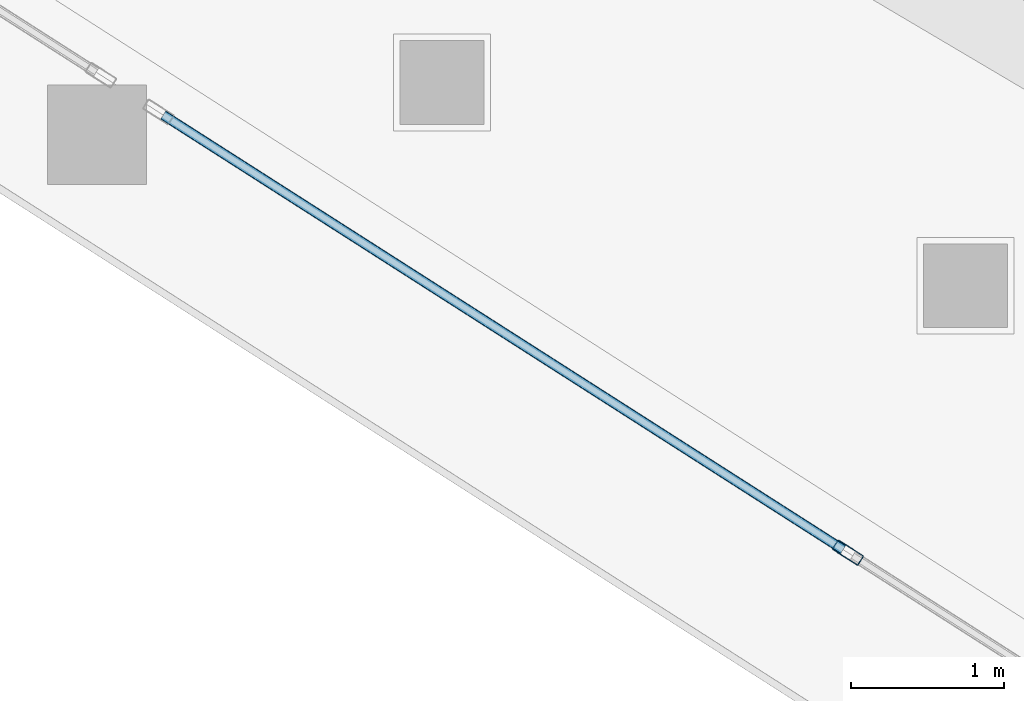
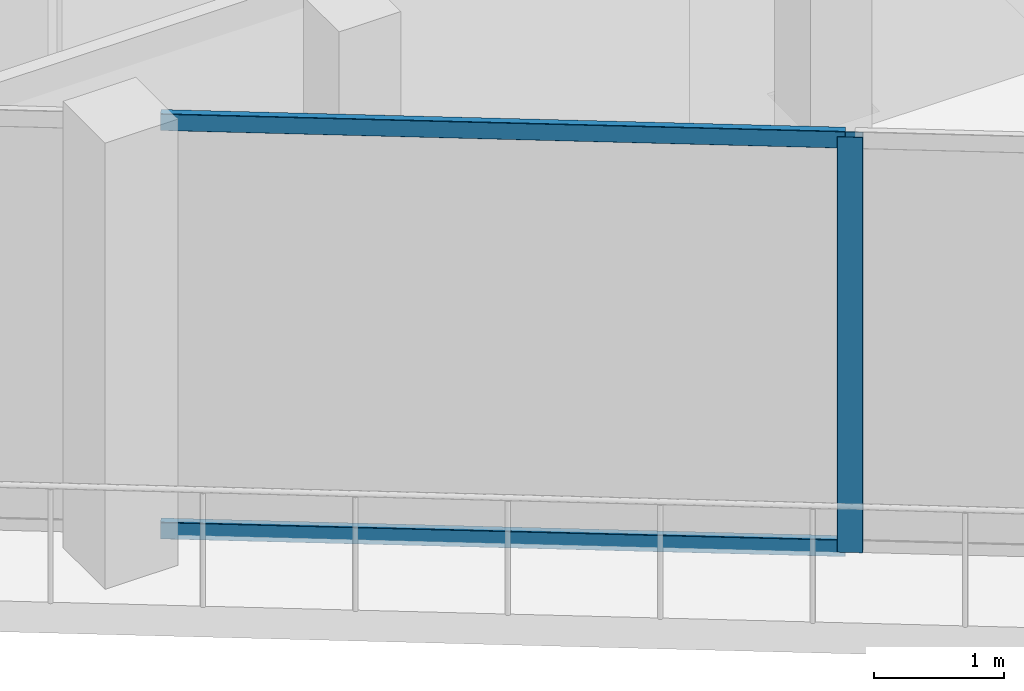
# One storey, part 4 of 31: 3 members, 1 element without a shape of its own.
"""IFC4 building model written with IfcOpenShell, lengths in metres."""

import ifcopenshell
import ifcopenshell.guid

model = None  # the IFC model being written
_history = None  # IfcOwnerHistory: only IFC2X3 demands one
_inside = {}  # id of a spatial element -> (the spatial element, [elements in it])
_under = {}  # id of a project, library or spatial element -> (it, [spatial elements below it])
_declared = {}  # id of a project -> (the project, [libraries it declares])
_typed = {}  # id of a type object -> (the type object, [elements of that type])
_made_of = {}  # id of a material, layer set ... -> (it, [elements and type objects made of it])


def new_model(schema):
    """Start an empty IFC model of exactly this schema.

    Asked for "IFC4X3", IfcOpenShell would pick the latest addendum, in which some entities
    have other attributes; the version numbers below select the first issue.
    IFC2X3 requires an IfcOwnerHistory on every rooted entity: one is made here for all.
    """
    global model, _history
    if schema == "IFC4X3":
        model = ifcopenshell.file(schema_version=(4, 3, 0, 0))
    else:
        model = ifcopenshell.file(schema=schema)
    _inside.clear()
    _under.clear()
    _declared.clear()
    _typed.clear()
    _made_of.clear()
    _history = None
    if model.schema == "IFC2X3":
        org = make("IfcOrganization", Name="unknown")
        user = make(
            "IfcPersonAndOrganization",
            ThePerson=make("IfcPerson", FamilyName="unknown"),
            TheOrganization=org,
        )
        app = make(
            "IfcApplication",
            ApplicationDeveloper=org,
            Version="unknown",
            ApplicationFullName="unknown",
            ApplicationIdentifier="unknown",
        )
        _history = make(
            "IfcOwnerHistory",
            OwningUser=user,
            OwningApplication=app,
            ChangeAction="ADDED",
            CreationDate=0,
        )
    return model


def make(cls, **values):
    """One entity of the class cls with the attributes given. An attribute that is None is left unset."""
    return model.create_entity(
        cls, **{name: value for name, value in values.items() if value is not None}
    )


def rooted(cls, **values):
    """An entity with a GlobalId (a new one), such as an element, a storey or a relation."""
    return make(cls, GlobalId=ifcopenshell.guid.new(), OwnerHistory=_history, **values)


def si_unit(unit_type, name, prefix=None):
    """IfcSIUnit, for example si_unit("LENGTHUNIT", "METRE", prefix="MILLI")."""
    return make("IfcSIUnit", UnitType=unit_type, Prefix=prefix, Name=name)


def assignment(units):
    """IfcUnitAssignment: the units of a project."""
    return None if units is None else make("IfcUnitAssignment", Units=units)


def point(xyz):
    """IfcCartesianPoint."""
    return None if xyz is None else make("IfcCartesianPoint", Coordinates=xyz)


def direction(xyz):
    """IfcDirection."""
    return None if xyz is None else make("IfcDirection", DirectionRatios=xyz)


def frame(location, z_axis=None, x_axis=None):
    """IfcAxis2Placement3D, a coordinate frame: its origin and axes. An axis left out is left unset."""
    return make(
        "IfcAxis2Placement3D",
        Location=point(location),
        Axis=direction(z_axis),
        RefDirection=direction(x_axis),
    )


def frame_2d(location, x_axis=None):
    """IfcAxis2Placement2D, a coordinate frame in the plane: its origin and x axis."""
    return make(
        "IfcAxis2Placement2D", Location=point(location), RefDirection=direction(x_axis)
    )


def origin():
    """The frame at (0, 0, 0) with its axes left unset."""
    return frame((0.0, 0.0, 0.0))


def origin_2d():
    """The frame at (0, 0) in the plane with its x axis left unset."""
    return frame_2d((0.0, 0.0))


def place(relative_to, where):
    """IfcLocalPlacement: puts the frame where relative to a parent placement (None: the world)."""
    return make(
        "IfcLocalPlacement", PlacementRelTo=relative_to, RelativePlacement=where
    )


def context(
    kind, dimensions, precision=None, world=None, true_north=None, identifier=None
):
    """IfcGeometricRepresentationContext, for example the 3D "Model" context."""
    return make(
        "IfcGeometricRepresentationContext",
        ContextIdentifier=identifier,
        ContextType=kind,
        CoordinateSpaceDimension=dimensions,
        Precision=precision,
        WorldCoordinateSystem=world,
        TrueNorth=true_north,
    )


def subcontext(parent, identifier, kind, view, scale=None):
    """IfcGeometricRepresentationSubContext, for example "Body" below "Model"."""
    return make(
        "IfcGeometricRepresentationSubContext",
        ContextIdentifier=identifier,
        ContextType=kind,
        ParentContext=parent,
        TargetScale=scale,
        TargetView=view,
    )


def project(units=None, contexts=None):
    """IfcProject with its units and contexts."""
    return rooted(
        "IfcProject",
        Name="project",
        RepresentationContexts=contexts,
        UnitsInContext=assignment(units),
    )


def spatial(cls, under=None, at=None, **own):
    """A site, building, storey or space (cls), placed at a placement, below another one or the project."""
    s = rooted(cls, ObjectPlacement=at, **own)
    if under is not None:
        _under.setdefault(under.id(), (under, []))[1].append(s)
    return s


def profile(cls, at=None, kind="AREA", **sizes):
    """A parametric profile (cls). Its sizes go by their IFC names, for example OverallWidth=200.0."""
    return make(cls, ProfileType=kind, Position=at, **sizes)


def hollow_rectangle(**sizes):
    """IfcRectangleHollowProfileDef."""
    return profile("IfcRectangleHollowProfileDef", **sizes)


def extrude(swept, where, along, depth):
    """IfcExtrudedAreaSolid: the profile swept, set in the frame where, extruded along a direction by depth."""
    return make(
        "IfcExtrudedAreaSolid",
        SweptArea=swept,
        Position=where,
        ExtrudedDirection=direction(along),
        Depth=depth,
    )


def shape(context_of_items, identifier, shape_type, items):
    """IfcShapeRepresentation: the items that make up one representation, for example the "Body"."""
    return make(
        "IfcShapeRepresentation",
        ContextOfItems=context_of_items,
        RepresentationIdentifier=identifier,
        RepresentationType=shape_type,
        Items=items,
    )


def material(Name=None, Category=None):
    """IfcMaterial."""
    return make("IfcMaterial", Name=Name, Category=Category)


def layer(
    of_material, thickness, ventilated=None, Name=None, Category=None, Priority=None
):
    """IfcMaterialLayer: one layer of a wall or slab, of a material (None: an air gap)."""
    return make(
        "IfcMaterialLayer",
        Material=of_material,
        LayerThickness=thickness,
        IsVentilated=ventilated,
        Name=Name,
        Category=Category,
        Priority=Priority,
    )


def layer_set(layers, Name=None):
    """IfcMaterialLayerSet."""
    return make("IfcMaterialLayerSet", MaterialLayers=layers, LayerSetName=Name)


def material_profile(
    of_material, cross_section, Name=None, Category=None, Priority=None
):
    """IfcMaterialProfile: a cross section and its material."""
    return make(
        "IfcMaterialProfile",
        Name=Name,
        Material=of_material,
        Profile=cross_section,
        Priority=Priority,
        Category=Category,
    )


def profile_set(profiles, Name=None, composite=None):
    """IfcMaterialProfileSet."""
    return make(
        "IfcMaterialProfileSet",
        Name=Name,
        MaterialProfiles=profiles,
        CompositeProfile=composite,
    )


def made_of(thing, what):
    """Note that an element or type object is made of a material, layer set ...; save() writes the relation."""
    if what is not None:
        _made_of.setdefault(what.id(), (what, []))[1].append(thing)
    return thing


def type_object(cls, material=None, **own):
    """A type object (cls), such as IfcWallType, which elements share."""
    return made_of(rooted(cls, **own), material)


def element(
    cls,
    number,
    at=None,
    inside=None,
    cuts=None,
    type_object=None,
    material=None,
    context=None,
    identifier="Body",
    shape_type=None,
    held_by="IfcProductDefinitionShape",
    body=None,
    shapes=None,
    **own,
):
    """One element of the class cls, such as IfcWall. Its Tag is "e" and its number.

    at: its placement. inside: the storey or other place that contains it. cuts: it is an
    opening in that element (IfcRelVoidsElement). A single representation is given by context,
    identifier, shape_type and body (its items); several are given by shapes. held_by: the class
    of the entity that holds the representations. save() writes the other relations.
    """
    e = rooted(cls, Tag="e%d" % number, ObjectPlacement=at, **own)
    if body is not None:
        shapes = [shape(context, identifier, shape_type, body)]
    if shapes is not None:
        e.Representation = make(held_by, Representations=shapes)
    if inside is not None:
        _inside.setdefault(inside.id(), (inside, []))[1].append(e)
    if cuts is not None:
        rooted(
            "IfcRelVoidsElement", RelatingBuildingElement=cuts, RelatedOpeningElement=e
        )
    if type_object is not None:
        _typed.setdefault(type_object.id(), (type_object, []))[1].append(e)
    return made_of(e, material)


def aggregate(whole, parts):
    """IfcRelAggregates: a whole, such as a stair, and the parts it consists of."""
    return rooted("IfcRelAggregates", RelatingObject=whole, RelatedObjects=parts)


def save(model, path):
    """Write the relations noted so far, then the file.

    IfcRelAggregates (storeys below a building ...), IfcRelContainedInSpatialStructure (elements
    in a storey), IfcRelDefinesByType, IfcRelAssociatesMaterial and IfcRelDeclares: one each for
    every whole, place, type object, material and project.
    """
    for whole, parts in _under.values():
        aggregate(whole, parts)
    for where, things in _inside.values():
        rooted(
            "IfcRelContainedInSpatialStructure",
            RelatedElements=things,
            RelatingStructure=where,
        )
    for kind, things in _typed.values():
        rooted("IfcRelDefinesByType", RelatedObjects=things, RelatingType=kind)
    for what, things in _made_of.values():
        rooted("IfcRelAssociatesMaterial", RelatedObjects=things, RelatingMaterial=what)
    for by, libraries in _declared.values():
        rooted("IfcRelDeclares", RelatingContext=by, RelatedDefinitions=libraries)
    model.write(path)


model = new_model("IFC4")

# Units and contexts
model_context = context("Model", 3, precision=1e-05, world=origin(), true_north=direction((0.0, 1.0)))
body_context = subcontext(model_context, "Body", "Model", "MODEL_VIEW")
ifc_project = project(units=[si_unit("LENGTHUNIT", "METRE"), si_unit("AREAUNIT", "SQUARE_METRE"), si_unit("VOLUMEUNIT", "CUBIC_METRE"), si_unit("PLANEANGLEUNIT", "RADIAN"), si_unit("MASSUNIT", "GRAM", prefix="KILO")], contexts=[model_context])

# Site, building, storey
site_placement = place(None, origin())
site = spatial("IfcSite", under=ifc_project, at=site_placement, CompositionType="ELEMENT")
building_placement = place(site_placement, origin())
building = spatial("IfcBuilding", under=site, at=building_placement, Name="Qorvath Tower", CompositionType="ELEMENT")
storey_placement = place(building_placement, frame((0.0, 0.0, 264.0)))
storey = spatial("IfcBuildingStorey", under=building, at=storey_placement, Name="L61", CompositionType="ELEMENT", Elevation=264.0)

# Curtain wall, members
ifc_material_1 = material(Name="Anodised aluminium and triple low-E glass", Category="aluminium")
ifc_layer = layer(ifc_material_1, 0.179931640625)
ifc_layer_set = layer_set([ifc_layer], Name="CW-SYS-4")
curtain_wall_type = type_object("IfcCurtainWallType", Name="CW-SYS-4", PredefinedType="NOTDEFINED", material=ifc_layer_set)
curtain_wall_placement = place(storey_placement, origin())
curtain_wall = element("IfcCurtainWall", 1, at=curtain_wall_placement, inside=storey, type_object=curtain_wall_type, Name="Curtain Wall CW-4 CW-T-L61-2.2", PredefinedType="NOTDEFINED")
ifc_material_2 = material(Name="Anodised aluminium 6063-T6", Category="aluminium")
ifc_material_profile_1 = material_profile(ifc_material_2, hollow_rectangle(XDim=0.074951171875, YDim=0.199951171875, WallThickness=0.00390625, InnerFilletRadius=0.00390625, OuterFilletRadius=0.008056640625, at=origin_2d()), Name="CWM 200x75")
ifc_profile_set_1 = profile_set([ifc_material_profile_1], Name="Anodised aluminium 6063-T6")
member_type_1 = type_object("IfcMemberType", Name="CWM-200", PredefinedType="MULLION", material=ifc_profile_set_1)
member_1_placement = place(storey_placement, frame((-31.446533203125, -15.872314453125, 0.0), z_axis=(0.0, 0.0, 1.0), x_axis=(0.538536275061, 0.842602326393, 0.0)))
member_1 = element("IfcMember", 2, at=member_1_placement, type_object=member_type_1, Name="CW-4 mullion 2", PredefinedType="MULLION", context=body_context, shape_type="SweptSolid", body=[
    extrude(hollow_rectangle(XDim=0.074951171875, YDim=0.199951171875, WallThickness=0.00390625, InnerFilletRadius=0.00390625, OuterFilletRadius=0.008056640625, at=origin_2d()), origin(), (0.0, 0.0, 1.0), 3.909912109375),
])
ifc_material_3 = material(Name="Anodised aluminium 6063-T6", Category="aluminium")
ifc_material_profile_2 = material_profile(ifc_material_3, hollow_rectangle(XDim=0.06494140625, YDim=0.159912109375, WallThickness=0.00341796875, InnerFilletRadius=0.00341796875, OuterFilletRadius=0.007080078125, at=origin_2d()), Name="CWT 160x65")
ifc_profile_set_2 = profile_set([ifc_material_profile_2], Name="Anodised aluminium 6063-T6")
member_type_2 = type_object("IfcMemberType", Name="CWT-160", PredefinedType="USERDEFINED", material=ifc_profile_set_2)
member_2_placement = place(storey_placement, frame((-35.931396484375, -13.006103515625, 0.032470703125), z_axis=(0.842598438878, -0.53854235748, 0.0), x_axis=(0.53854235748, 0.842598438878, 0.0)))
member_2 = element("IfcMember", 3, at=member_2_placement, type_object=member_type_2, Name="CW-4 transom 1.1", ObjectType="TRANSOM", PredefinedType="USERDEFINED", context=body_context, shape_type="SweptSolid", body=[
    extrude(hollow_rectangle(XDim=0.06494140625, YDim=0.159912109375, WallThickness=0.00341796875, InnerFilletRadius=0.00341796875, OuterFilletRadius=0.007080078125, at=origin_2d()), origin(), (0.0, 0.0, 1.0), 5.284912109375),
])
member_3_placement = place(storey_placement, frame((-35.931396484375, -13.006103515625, 3.87744140625), z_axis=(0.842598438878, -0.53854235748, 0.0), x_axis=(0.53854235748, 0.842598438878, 0.0)))
member_3 = element("IfcMember", 4, at=member_3_placement, type_object=member_type_2, Name="CW-4 transom 1.2", ObjectType="TRANSOM", PredefinedType="USERDEFINED", context=body_context, shape_type="SweptSolid", body=[
    extrude(hollow_rectangle(XDim=0.06494140625, YDim=0.159912109375, WallThickness=0.00341796875, InnerFilletRadius=0.00341796875, OuterFilletRadius=0.007080078125, at=origin_2d()), origin(), (0.0, 0.0, 1.0), 5.284912109375),
])
aggregate(curtain_wall, [member_1, member_2, member_3])

save(model, "model.ifc")
